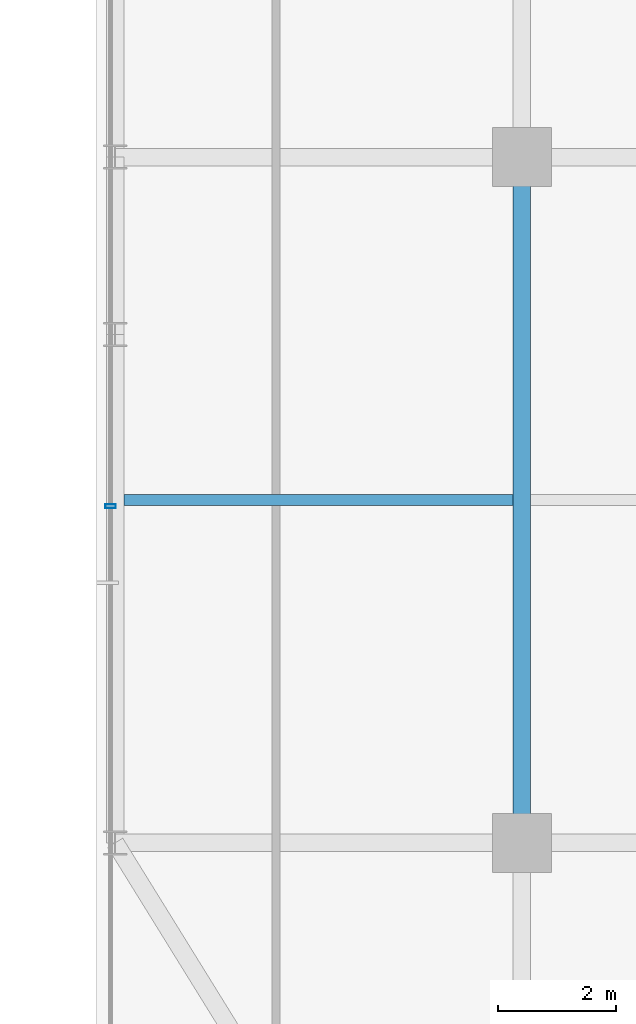
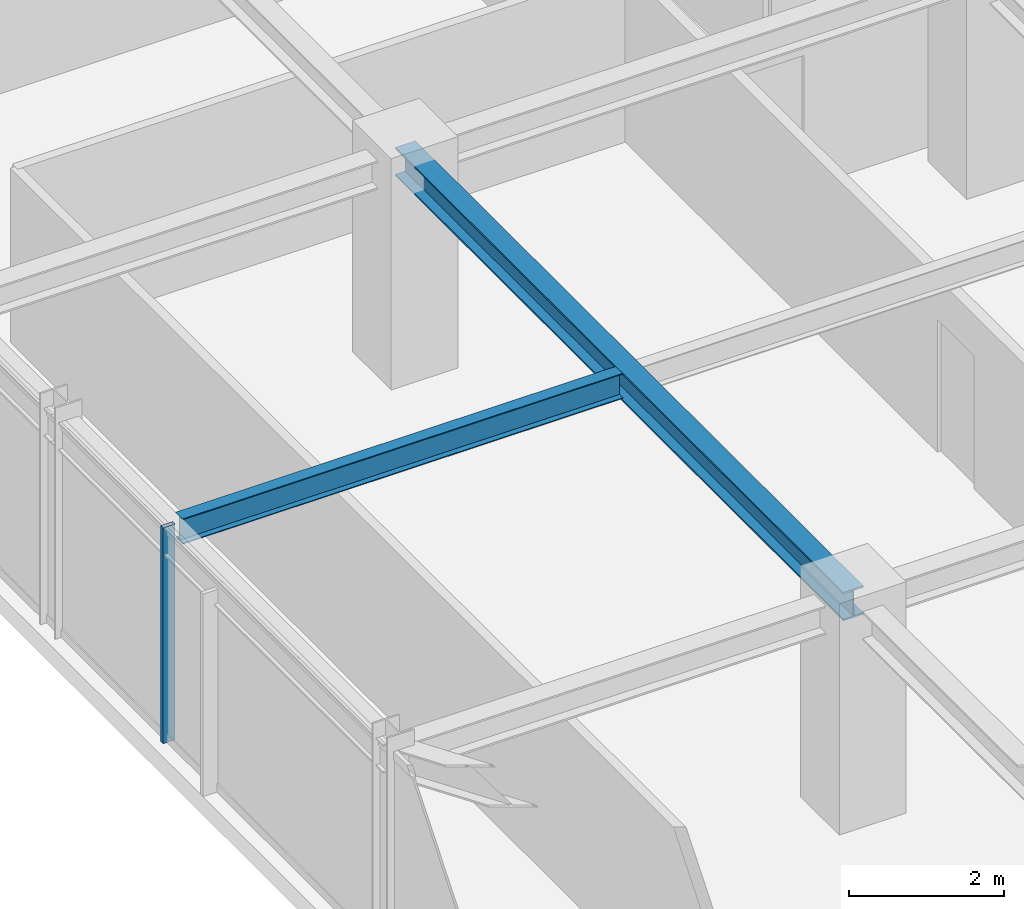
# One storey, part 6 of 36: 2 beams, 1 member, 1 element without a shape of its own.
"""IFC4 building model written with IfcOpenShell, lengths in metres."""

from ifc_helpers import new_model, si_unit, direction, frame, origin, origin_2d, place, context, subcontext, project, spatial, hollow_rectangle, i_section, extrude, source, transform, mapped, material, material_profile, profile_set, type_object, element, aggregate, save


model = new_model("IFC4")

# Units and contexts
model_context = context("Model", 3, precision=1e-05, world=origin(), true_north=direction((0.0, 1.0)))
body_context = subcontext(model_context, "Body", "Model", "MODEL_VIEW")
ifc_project = project(units=[si_unit("LENGTHUNIT", "METRE"), si_unit("AREAUNIT", "SQUARE_METRE"), si_unit("VOLUMEUNIT", "CUBIC_METRE"), si_unit("PLANEANGLEUNIT", "RADIAN"), si_unit("MASSUNIT", "GRAM", prefix="KILO")], contexts=[model_context])

# Site, building, storey
site_placement = place(None, origin())
site = spatial("IfcSite", under=ifc_project, at=site_placement, CompositionType="ELEMENT")
building_placement = place(site_placement, origin())
building = spatial("IfcBuilding", under=site, at=building_placement, Name="Nahalor Promenade Grand Hotel", CompositionType="ELEMENT")
storey_placement = place(building_placement, frame((0.0, 0.0, 241.89990234375)))
storey = spatial("IfcBuildingStorey", under=building, at=storey_placement, Name="L62", CompositionType="ELEMENT", Elevation=241.89990234375)

# Beams
ifc_material_1 = material(Name="Steel S355JR", Category="steel")
ifc_material_profile_1 = material_profile(ifc_material_1, i_section(OverallWidth=0.3, OverallDepth=0.45, WebThickness=0.014, FlangeThickness=0.026, at=origin_2d()), Name="HEB 450")
ifc_profile_set_1 = profile_set([ifc_material_profile_1], Name="Steel S355JR")
beam_type_1 = type_object("IfcBeamType", Name="Beam-Girder-HEB450", PredefinedType="BEAM", material=ifc_profile_set_1)
shared_shape_1 = source(origin(), body_context, "Body", "SweptSolid", [
    extrude(i_section(OverallWidth=0.3, OverallDepth=0.45, WebThickness=0.014, FlangeThickness=0.026, at=origin_2d()), origin(), (0.0, 0.0, 1.0), 11.60009765625),
])
beam_1_placement = place(storey_placement, frame((-17.0, -17.0, 3.18505859375), z_axis=(0.0, 1.0, 0.0), x_axis=(-1.0, 0.0, 0.0)))
element("IfcBeam", 1, at=beam_1_placement, inside=storey, type_object=beam_type_1, Name="BM-L62-GY-0-1", PredefinedType="BEAM", context=body_context, shape_type="MappedRepresentation", body=[
    mapped(shared_shape_1, transform((0.0, 0.0, 0.0), scale=1.0)),
])
ifc_material_profile_2 = material_profile(ifc_material_1, i_section(OverallWidth=0.18, OverallDepth=0.4, WebThickness=0.0086, FlangeThickness=0.0135, at=origin_2d()), Name="IPE 400")
ifc_profile_set_2 = profile_set([ifc_material_profile_2], Name="Steel S355JR")
beam_type_2 = type_object("IfcBeamType", Name="Beam-Joist-IPE400", PredefinedType="JOIST", material=ifc_profile_set_2)
shared_shape_2 = source(origin(), body_context, "Body", "SweptSolid", [
    extrude(i_section(OverallWidth=0.18, OverallDepth=0.4, WebThickness=0.0086, FlangeThickness=0.0135, at=origin_2d()), origin(), (0.0, 0.0, 1.0), 6.580078125),
])
beam_2_placement = place(storey_placement, frame((-23.72998046875, -11.199951171875, 3.210205078125), z_axis=(1.0, 0.0, 0.0), x_axis=(0.0, 1.0, 0.0)))
element("IfcBeam", 2, at=beam_2_placement, inside=storey, type_object=beam_type_2, Name="BM-L62-JSW-0-0", PredefinedType="JOIST", context=body_context, shape_type="MappedRepresentation", body=[
    mapped(shared_shape_2, transform((0.0, 0.0, 0.0), scale=1.0)),
])

# Curtain wall, member
ifc_material_2 = material(Name="Anodised Bronze Aluminium EN AW-6063 T6", Category="aluminium")
curtain_wall_type = type_object("IfcCurtainWallType", Name="CW2 Typical Hotel Flush Bronze Unitised Curtain Wall", PredefinedType="USERDEFINED", material=ifc_material_2)
curtain_wall_placement = place(storey_placement, origin())
curtain_wall = element("IfcCurtainWall", 3, at=curtain_wall_placement, inside=storey, type_object=curtain_wall_type, Name="L62 Curtain Wall CW-L62-W-1", ObjectType="UNITISED_CURTAIN_WALL", PredefinedType="USERDEFINED")
ifc_material_profile_3 = material_profile(ifc_material_2, hollow_rectangle(XDim=0.065, YDim=0.18, WallThickness=0.004, at=origin_2d()), Name="CWM 65x180x4")
ifc_profile_set_3 = profile_set([ifc_material_profile_3], Name="Anodised Bronze Aluminium EN AW-6063 T6")
member_type = type_object("IfcMemberType", Name="CWM2 Typical Bronze Mullion 65x180", PredefinedType="MULLION", material=ifc_profile_set_3)
shared_shape_3 = source(origin(), body_context, "Body", "SweptSolid", [
    extrude(hollow_rectangle(XDim=0.065, YDim=0.18, WallThickness=0.004, at=origin_2d()), origin(), (0.0, 0.0, 1.0), 3.41015625),
])
member_placement = place(storey_placement, frame((-23.9599609375, -11.306640625, 0.0), z_axis=(0.0, 0.0, 1.0), x_axis=(0.0, 1.0, 0.0)))
member = element("IfcMember", 4, at=member_placement, type_object=member_type, Name="CW-L62-W-1 Mullion 1", PredefinedType="MULLION", context=body_context, shape_type="MappedRepresentation", body=[
    mapped(shared_shape_3, transform((0.0, 0.0, 0.0), scale=1.0)),
])
aggregate(curtain_wall, [member])

save(model, "model.ifc")
